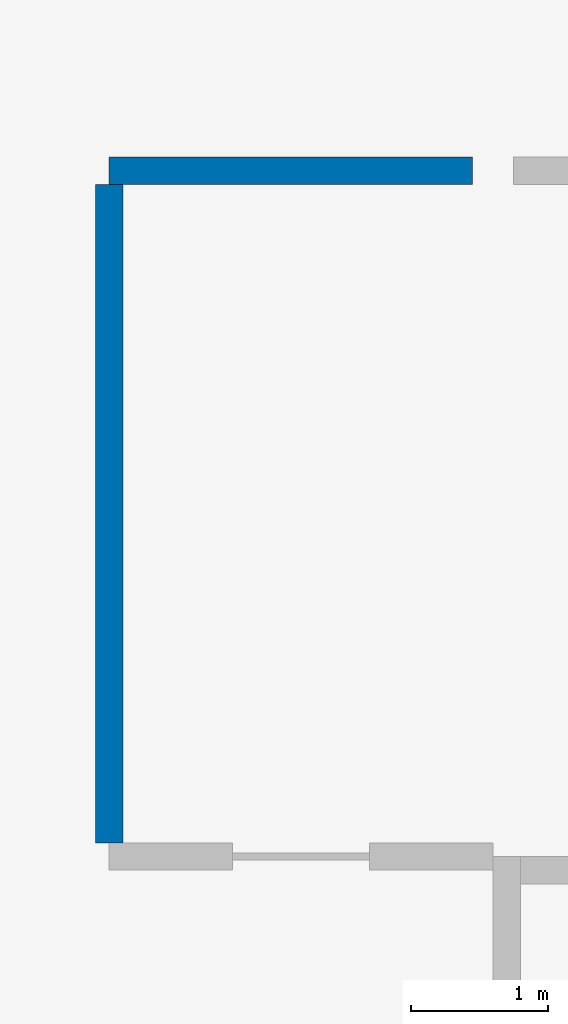
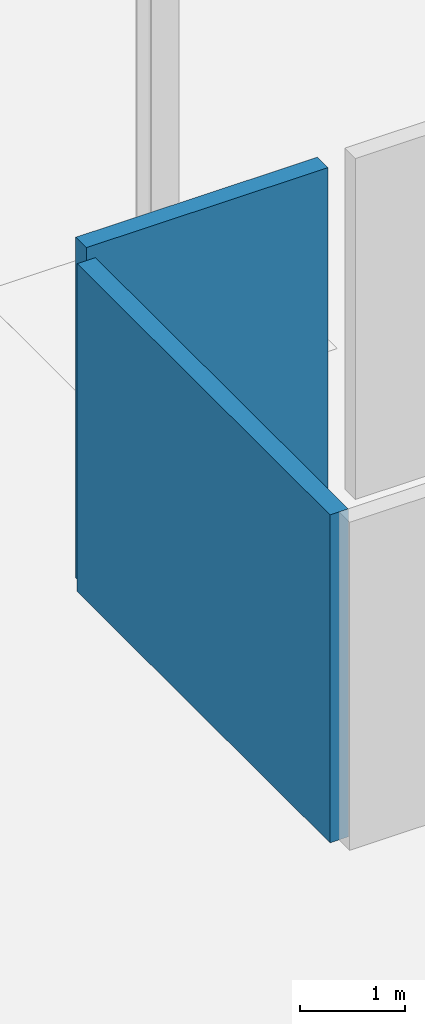
# One storey, part 25 of 35: 2 walls.
"""IFC4 building model written with IfcOpenShell, lengths in metres."""

from ifc_helpers import new_model, si_unit, direction, frame, frame_2d, origin, place, context, subcontext, project, spatial, rectangle, extrude, material, layer, layer_set, type_object, element, save


model = new_model("IFC4")

# Units and contexts
model_context = context("Model", 3, precision=1e-05, world=origin(), true_north=direction((0.0, 1.0)))
body_context = subcontext(model_context, "Body", "Model", "MODEL_VIEW")
ifc_project = project(units=[si_unit("LENGTHUNIT", "METRE"), si_unit("AREAUNIT", "SQUARE_METRE"), si_unit("VOLUMEUNIT", "CUBIC_METRE"), si_unit("PLANEANGLEUNIT", "RADIAN"), si_unit("MASSUNIT", "GRAM", prefix="KILO")], contexts=[model_context])

# Site, building, storey
site_placement = place(None, origin())
site = spatial("IfcSite", under=ifc_project, at=site_placement, CompositionType="ELEMENT")
building_placement = place(site_placement, origin())
building = spatial("IfcBuilding", under=site, at=building_placement, Name="Ardhachandra Cancer Care Centre", CompositionType="ELEMENT")
storey_placement = place(building_placement, frame((0.0, 0.0, -4.5)))
storey = spatial("IfcBuildingStorey", under=building, at=storey_placement, Name="B1", CompositionType="ELEMENT", Elevation=-4.5)

# Walls
ifc_material = material(Name="Brick masonry", Category="masonry")
ifc_layer = layer(ifc_material, 0.199951171875)
ifc_layer_set = layer_set([ifc_layer], Name="Brick masonry")
wall_type = type_object("IfcWallType", Name="PLANT ROOM WALL 200", PredefinedType="SOLIDWALL", material=ifc_layer_set)
wall_1_placement = place(storey_placement, frame((134.0, 42.800048828125, 0.0), z_axis=(0.0, 0.0, 1.0), x_axis=(1.0, 0.0, 0.0)))
element("IfcWall", 1, at=wall_1_placement, inside=storey, type_object=wall_type, Name="R/wall/B1/h0042800_0134000", PredefinedType="SOLIDWALL", context=body_context, shape_type="SweptSolid", body=[
    extrude(rectangle(XDim=2.64990234375, YDim=0.199951171875, at=frame_2d((1.324951171875, 0.0))), origin(), (0.0, 0.0, 1.0), 3.949951171875),
])
wall_2_placement = place(storey_placement, frame((134.0, 37.89990234375, 0.0), z_axis=(0.0, 0.0, 1.0), x_axis=(0.0, 1.0, 0.0)))
element("IfcWall", 2, at=wall_2_placement, inside=storey, type_object=wall_type, Name="R/wall/B1/v0134000_0037900", PredefinedType="SOLIDWALL", context=body_context, shape_type="SweptSolid", body=[
    extrude(rectangle(XDim=4.800048828125, YDim=0.199951171875, at=frame_2d((2.39990234375, 0.0))), origin(), (0.0, 0.0, 1.0), 3.800048828125),
])

save(model, "model.ifc")
